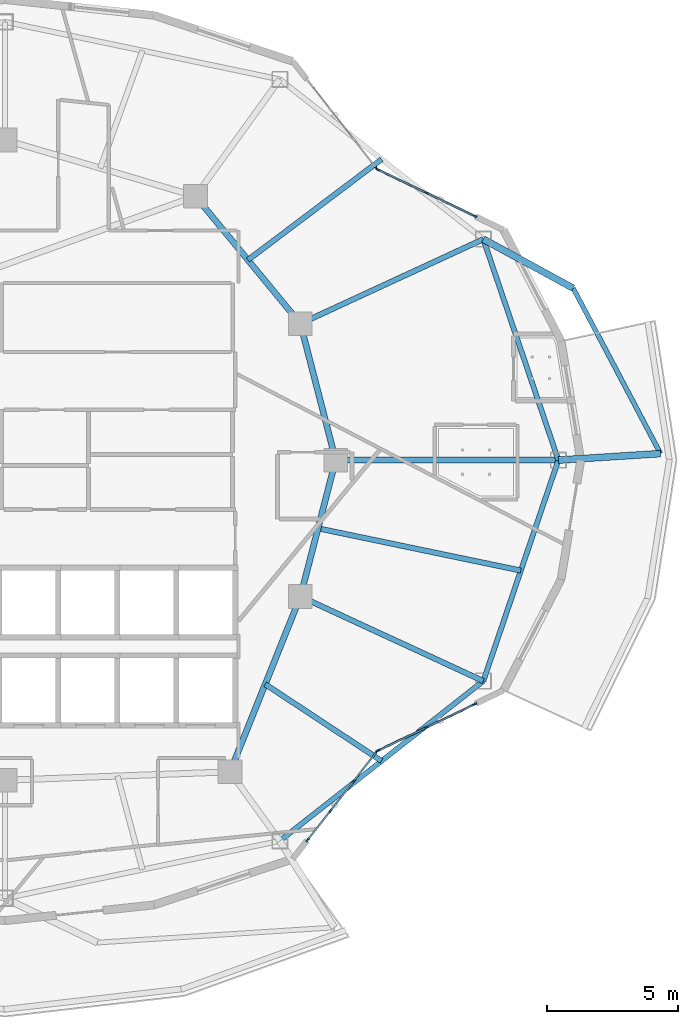
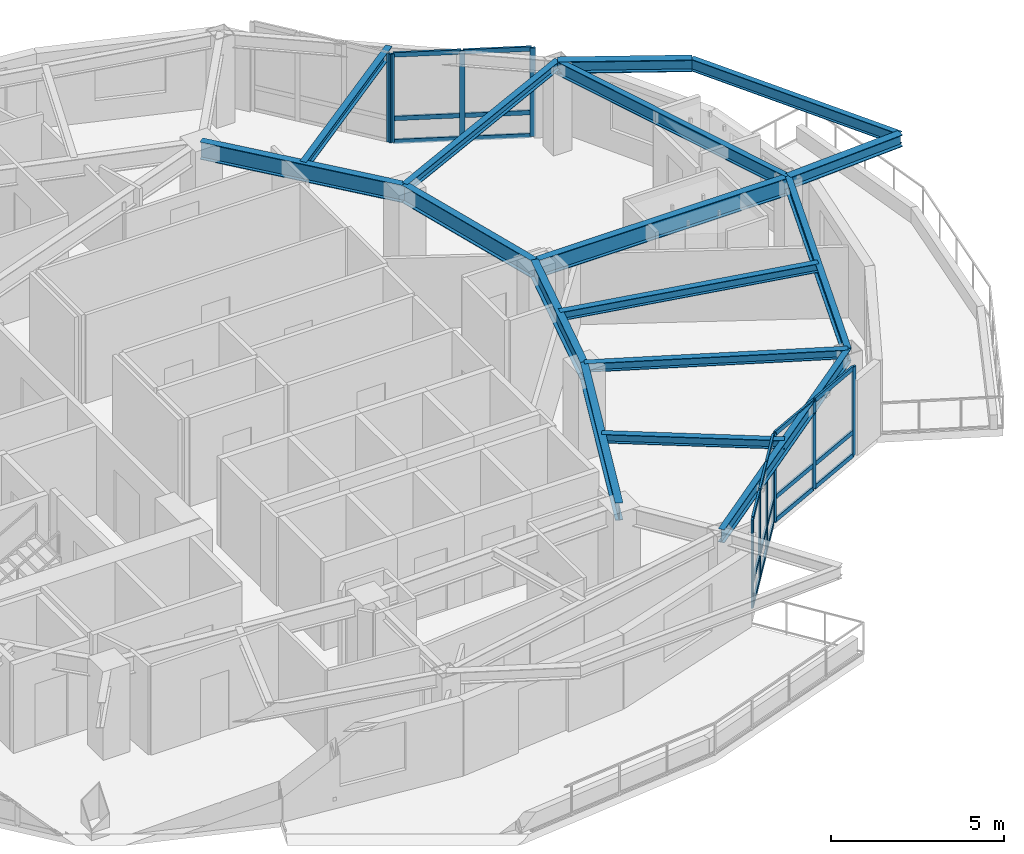
# One storey, part 4 of 18: 32 members, 16 beams, 4 elements without a shape of their own.
"""IFC4 building model written with IfcOpenShell, lengths in metres."""

from ifc_helpers import new_model, si_unit, direction, frame, origin, origin_2d, place, context, subcontext, project, spatial, rectangle, i_section, extrude, material, layer, layer_set, material_profile, profile_set, type_object, element, aggregate, save


model = new_model("IFC4")

# Units and contexts
model_context = context("Model", 3, precision=1e-05, world=origin(), true_north=direction((0.0, 1.0)))
body_context = subcontext(model_context, "Body", "Model", "MODEL_VIEW")
ifc_project = project(units=[si_unit("LENGTHUNIT", "METRE"), si_unit("AREAUNIT", "SQUARE_METRE"), si_unit("VOLUMEUNIT", "CUBIC_METRE"), si_unit("PLANEANGLEUNIT", "RADIAN"), si_unit("MASSUNIT", "GRAM", prefix="KILO")], contexts=[model_context])

# Site, building, storey
site_placement = place(None, origin())
site = spatial("IfcSite", under=ifc_project, at=site_placement, CompositionType="ELEMENT")
building_placement = place(site_placement, origin())
building = spatial("IfcBuilding", under=site, at=building_placement, Name="Kolvaren Gate Tower and Convention Centre", CompositionType="ELEMENT")
storey_placement = place(building_placement, frame((0.0, 0.0, 176.699951171875)))
storey = spatial("IfcBuildingStorey", under=building, at=storey_placement, Name="L46", CompositionType="ELEMENT", Elevation=176.699951171875)

# Curtain wall, members
ifc_material_1 = material(Name="Anodized Architectural Aluminium Alloy 6063-T6", Category="aluminium")
ifc_layer = layer(ifc_material_1, 0.159912109375)
ifc_layer_set = layer_set([ifc_layer], Name="Anodized Architectural Aluminium Alloy 6063-T6")
curtain_wall_type = type_object("IfcCurtainWallType", Name="CW-HTL-UNIT", PredefinedType="NOTDEFINED", material=ifc_layer_set)
curtain_wall_1_placement = place(storey_placement, origin())
curtain_wall_1 = element("IfcCurtainWall", 1, at=curtain_wall_1_placement, inside=storey, type_object=curtain_wall_type, Name="Tower L46 Unitised Curtain Wall CW-HTL-UNIT Bay 02", PredefinedType="NOTDEFINED")
ifc_material_profile_1 = material_profile(ifc_material_1, rectangle(XDim=0.06494140625, YDim=0.159912109375, at=origin_2d()), Name="CW-MEM-MUL-160")
ifc_profile_set_1 = profile_set([ifc_material_profile_1], Name="Anodized Architectural Aluminium Alloy 6063-T6")
member_type_1 = type_object("IfcMemberType", Name="CW-MEM-MUL-160", PredefinedType="MULLION", material=ifc_profile_set_1)
member_1_placement = place(storey_placement, frame((44.3427734375, 38.072021484375, 0.0), z_axis=(0.0, 0.0, 1.0), x_axis=(0.433073742482, 0.901358493371, 0.0)))
member_1 = element("IfcMember", 2, at=member_1_placement, type_object=member_type_1, Name="CW-03 mullion 1", PredefinedType="MULLION", context=body_context, shape_type="SweptSolid", body=[
    extrude(rectangle(XDim=0.06494140625, YDim=0.159912109375, at=origin_2d()), origin(), (0.0, 0.0, 1.0), 3.130126953125),
])
member_2_placement = place(storey_placement, frame((46.18603515625, 37.186279296875, 0.0), z_axis=(0.0, 0.0, 1.0), x_axis=(0.433073742482, 0.901358493371, 0.0)))
member_2 = element("IfcMember", 3, at=member_2_placement, type_object=member_type_1, Name="CW-03 mullion 2", PredefinedType="MULLION", context=body_context, shape_type="SweptSolid", body=[
    extrude(rectangle(XDim=0.06494140625, YDim=0.159912109375, at=origin_2d()), origin(), (0.0, 0.0, 1.0), 3.130126953125),
])
member_3_placement = place(storey_placement, frame((48.029296875, 36.30078125, 0.0), z_axis=(0.0, 0.0, 1.0), x_axis=(0.433073742482, 0.901358493371, 0.0)))
member_3 = element("IfcMember", 4, at=member_3_placement, type_object=member_type_1, Name="CW-03 mullion 3", PredefinedType="MULLION", context=body_context, shape_type="SweptSolid", body=[
    extrude(rectangle(XDim=0.06494140625, YDim=0.159912109375, at=origin_2d()), origin(), (0.0, 0.0, 1.0), 3.130126953125),
])

# Curtain wall, member
curtain_wall_2_placement = place(storey_placement, origin())
curtain_wall_2 = element("IfcCurtainWall", 5, at=curtain_wall_2_placement, inside=storey, type_object=curtain_wall_type, Name="Tower L46 Unitised Curtain Wall CW-HTL-UNIT Bay 03", PredefinedType="NOTDEFINED")
member_4_placement = place(storey_placement, frame((44.29345703125, 38.111572265625, 0.0), z_axis=(0.0, 0.0, 1.0), x_axis=(0.787403535469, 0.616437890084, 0.0)))
member_4 = element("IfcMember", 6, at=member_4_placement, type_object=member_type_1, Name="CW-03 mullion 4", PredefinedType="MULLION", context=body_context, shape_type="SweptSolid", body=[
    extrude(rectangle(XDim=0.06494140625, YDim=0.159912109375, at=origin_2d()), origin(), (0.0, 0.0, 1.0), 3.130126953125),
])
aggregate(curtain_wall_2, [member_4])

# Curtain wall, members
curtain_wall_3_placement = place(storey_placement, origin())
curtain_wall_3 = element("IfcCurtainWall", 7, at=curtain_wall_3_placement, inside=storey, type_object=curtain_wall_type, Name="Tower L46 Unitised Curtain Wall CW-HTL-UNIT Bay 20", PredefinedType="NOTDEFINED")
member_5_placement = place(storey_placement, frame((41.65380859375, 12.5166015625, 0.0), z_axis=(0.0, 0.0, 1.0), x_axis=(-0.787403535469, 0.616437890084, 0.0)))
member_5 = element("IfcMember", 8, at=member_5_placement, type_object=member_type_1, Name="CW-03 mullion 1", PredefinedType="MULLION", context=body_context, shape_type="SweptSolid", body=[
    extrude(rectangle(XDim=0.06494140625, YDim=0.159912109375, at=origin_2d()), origin(), (0.0, 0.0, 1.0), 3.130126953125),
])
member_6_placement = place(storey_placement, frame((42.527099609375, 13.632080078125, 0.0), z_axis=(0.0, 0.0, 1.0), x_axis=(-0.787403535469, 0.616437890084, 0.0)))
member_6 = element("IfcMember", 9, at=member_6_placement, type_object=member_type_1, Name="CW-03 mullion 2", PredefinedType="MULLION", context=body_context, shape_type="SweptSolid", body=[
    extrude(rectangle(XDim=0.06494140625, YDim=0.159912109375, at=origin_2d()), origin(), (0.0, 0.0, 1.0), 3.130126953125),
])
member_7_placement = place(storey_placement, frame((43.420166015625, 14.77294921875, 0.0), z_axis=(0.0, 0.0, 1.0), x_axis=(-0.787403535469, 0.616437890084, 0.0)))
member_7 = element("IfcMember", 10, at=member_7_placement, type_object=member_type_1, Name="CW-03 mullion 3", PredefinedType="MULLION", context=body_context, shape_type="SweptSolid", body=[
    extrude(rectangle(XDim=0.06494140625, YDim=0.159912109375, at=origin_2d()), origin(), (0.0, 0.0, 1.0), 3.130126953125),
])
member_8_placement = place(storey_placement, frame((44.29345703125, 15.888427734375, 0.0), z_axis=(0.0, 0.0, 1.0), x_axis=(-0.787403535469, 0.616437890084, 0.0)))
member_8 = element("IfcMember", 11, at=member_8_placement, type_object=member_type_1, Name="CW-03 mullion 4", PredefinedType="MULLION", context=body_context, shape_type="SweptSolid", body=[
    extrude(rectangle(XDim=0.06494140625, YDim=0.159912109375, at=origin_2d()), origin(), (0.0, 0.0, 1.0), 3.130126953125),
])

curtain_wall_4_placement = place(storey_placement, origin())
curtain_wall_4 = element("IfcCurtainWall", 12, at=curtain_wall_4_placement, inside=storey, type_object=curtain_wall_type, Name="Tower L46 Unitised Curtain Wall CW-HTL-UNIT Bay 21", PredefinedType="NOTDEFINED")
member_9_placement = place(storey_placement, frame((44.3427734375, 15.927978515625, 0.0), z_axis=(0.0, 0.0, 1.0), x_axis=(-0.433073742482, 0.901358493371, 0.0)))
member_9 = element("IfcMember", 13, at=member_9_placement, type_object=member_type_1, Name="CW-03 mullion 1", PredefinedType="MULLION", context=body_context, shape_type="SweptSolid", body=[
    extrude(rectangle(XDim=0.06494140625, YDim=0.159912109375, at=origin_2d()), origin(), (0.0, 0.0, 1.0), 3.130126953125),
])
member_10_placement = place(storey_placement, frame((46.18603515625, 16.813720703125, 0.0), z_axis=(0.0, 0.0, 1.0), x_axis=(-0.433073742482, 0.901358493371, 0.0)))
member_10 = element("IfcMember", 14, at=member_10_placement, type_object=member_type_1, Name="CW-03 mullion 2", PredefinedType="MULLION", context=body_context, shape_type="SweptSolid", body=[
    extrude(rectangle(XDim=0.06494140625, YDim=0.159912109375, at=origin_2d()), origin(), (0.0, 0.0, 1.0), 3.130126953125),
])
member_11_placement = place(storey_placement, frame((48.029296875, 17.69921875, 0.0), z_axis=(0.0, 0.0, 1.0), x_axis=(-0.433073742482, 0.901358493371, 0.0)))
member_11 = element("IfcMember", 15, at=member_11_placement, type_object=member_type_1, Name="CW-03 mullion 3", PredefinedType="MULLION", context=body_context, shape_type="SweptSolid", body=[
    extrude(rectangle(XDim=0.06494140625, YDim=0.159912109375, at=origin_2d()), origin(), (0.0, 0.0, 1.0), 3.130126953125),
])

# Member
ifc_material_profile_2 = material_profile(ifc_material_1, rectangle(XDim=0.06494140625, YDim=0.159912109375, at=origin_2d()), Name="CW-MEM-TRN-160")
ifc_profile_set_2 = profile_set([ifc_material_profile_2], Name="Anodized Architectural Aluminium Alloy 6063-T6")
member_type_2 = type_object("IfcMemberType", Name="CW-MEM-TRN-160", PredefinedType="USERDEFINED", material=ifc_profile_set_2)
member_12_placement = place(storey_placement, frame((44.3720703125, 38.057861328125, 0.032470703125), z_axis=(0.901369067985, -0.433051732799, 0.0), x_axis=(0.433051732799, 0.901369067985, 0.0)))
member_12 = element("IfcMember", 16, at=member_12_placement, type_object=member_type_2, Name="CW-03 transom 1.1", ObjectType="TRANSOM", PredefinedType="USERDEFINED", context=body_context, shape_type="SweptSolid", body=[
    extrude(rectangle(XDim=0.06494140625, YDim=0.159912109375, at=origin_2d()), origin(), (0.0, 0.0, 1.0), 1.97998046875),
])

member_13_placement = place(storey_placement, frame((44.3720703125, 38.057861328125, 0.85009765625), z_axis=(0.901369067985, -0.433051732799, 0.0), x_axis=(0.433051732799, 0.901369067985, 0.0)))
member_13 = element("IfcMember", 17, at=member_13_placement, type_object=member_type_2, Name="CW-03 transom 1.2", ObjectType="TRANSOM", PredefinedType="USERDEFINED", context=body_context, shape_type="SweptSolid", body=[
    extrude(rectangle(XDim=0.06494140625, YDim=0.159912109375, at=origin_2d()), origin(), (0.0, 0.0, 1.0), 1.97998046875),
])

member_14_placement = place(storey_placement, frame((44.3720703125, 38.057861328125, 3.09765625), z_axis=(0.901369067985, -0.433051732799, 0.0), x_axis=(0.433051732799, 0.901369067985, 0.0)))
member_14 = element("IfcMember", 18, at=member_14_placement, type_object=member_type_2, Name="CW-03 transom 1.3", ObjectType="TRANSOM", PredefinedType="USERDEFINED", context=body_context, shape_type="SweptSolid", body=[
    extrude(rectangle(XDim=0.06494140625, YDim=0.159912109375, at=origin_2d()), origin(), (0.0, 0.0, 1.0), 1.97998046875),
])

member_15_placement = place(storey_placement, frame((46.21533203125, 37.172119140625, 0.032470703125), z_axis=(0.901369067985, -0.433051732799, 0.0), x_axis=(0.433051732799, 0.901369067985, 0.0)))
member_15 = element("IfcMember", 19, at=member_15_placement, type_object=member_type_2, Name="CW-03 transom 2.1", ObjectType="TRANSOM", PredefinedType="USERDEFINED", context=body_context, shape_type="SweptSolid", body=[
    extrude(rectangle(XDim=0.06494140625, YDim=0.159912109375, at=origin_2d()), origin(), (0.0, 0.0, 1.0), 1.97998046875),
])

member_16_placement = place(storey_placement, frame((46.21533203125, 37.172119140625, 0.85009765625), z_axis=(0.901369067985, -0.433051732799, 0.0), x_axis=(0.433051732799, 0.901369067985, 0.0)))
member_16 = element("IfcMember", 20, at=member_16_placement, type_object=member_type_2, Name="CW-03 transom 2.2", ObjectType="TRANSOM", PredefinedType="USERDEFINED", context=body_context, shape_type="SweptSolid", body=[
    extrude(rectangle(XDim=0.06494140625, YDim=0.159912109375, at=origin_2d()), origin(), (0.0, 0.0, 1.0), 1.97998046875),
])

member_17_placement = place(storey_placement, frame((46.21533203125, 37.172119140625, 3.09765625), z_axis=(0.901369067985, -0.433051732799, 0.0), x_axis=(0.433051732799, 0.901369067985, 0.0)))
member_17 = element("IfcMember", 21, at=member_17_placement, type_object=member_type_2, Name="CW-03 transom 2.3", ObjectType="TRANSOM", PredefinedType="USERDEFINED", context=body_context, shape_type="SweptSolid", body=[
    extrude(rectangle(XDim=0.06494140625, YDim=0.159912109375, at=origin_2d()), origin(), (0.0, 0.0, 1.0), 1.97998046875),
])

aggregate(curtain_wall_1, [member_1, member_2, member_3, member_12, member_13, member_14, member_15, member_16, member_17])

member_18_placement = place(storey_placement, frame((41.673828125, 12.542236328125, 0.032470703125), z_axis=(0.616488451497, 0.787363949626, 0.0), x_axis=(-0.787363949626, 0.616488451497, 0.0)))
member_18 = element("IfcMember", 22, at=member_18_placement, type_object=member_type_2, Name="CW-03 transom 1.1", ObjectType="TRANSOM", PredefinedType="USERDEFINED", context=body_context, shape_type="SweptSolid", body=[
    extrude(rectangle(XDim=0.06494140625, YDim=0.159912109375, at=origin_2d()), origin(), (0.0, 0.0, 1.0), 1.3515625),
])

member_19_placement = place(storey_placement, frame((41.673828125, 12.542236328125, 0.85009765625), z_axis=(0.616488451497, 0.787363949626, 0.0), x_axis=(-0.787363949626, 0.616488451497, 0.0)))
member_19 = element("IfcMember", 23, at=member_19_placement, type_object=member_type_2, Name="CW-03 transom 1.2", ObjectType="TRANSOM", PredefinedType="USERDEFINED", context=body_context, shape_type="SweptSolid", body=[
    extrude(rectangle(XDim=0.06494140625, YDim=0.159912109375, at=origin_2d()), origin(), (0.0, 0.0, 1.0), 1.3515625),
])

member_20_placement = place(storey_placement, frame((41.673828125, 12.542236328125, 3.09765625), z_axis=(0.616488451497, 0.787363949626, 0.0), x_axis=(-0.787363949626, 0.616488451497, 0.0)))
member_20 = element("IfcMember", 24, at=member_20_placement, type_object=member_type_2, Name="CW-03 transom 1.3", ObjectType="TRANSOM", PredefinedType="USERDEFINED", context=body_context, shape_type="SweptSolid", body=[
    extrude(rectangle(XDim=0.06494140625, YDim=0.159912109375, at=origin_2d()), origin(), (0.0, 0.0, 1.0), 1.3515625),
])

member_21_placement = place(storey_placement, frame((42.547119140625, 13.65771484375, 0.032470703125), z_axis=(0.616355825524, 0.787467774796, 0.0), x_axis=(-0.787467774796, 0.616355825524, 0.0)))
member_21 = element("IfcMember", 25, at=member_21_placement, type_object=member_type_2, Name="CW-03 transom 2.1", ObjectType="TRANSOM", PredefinedType="USERDEFINED", context=body_context, shape_type="SweptSolid", body=[
    extrude(rectangle(XDim=0.06494140625, YDim=0.159912109375, at=origin_2d()), origin(), (0.0, 0.0, 1.0), 1.384033203125),
])

member_22_placement = place(storey_placement, frame((42.547119140625, 13.65771484375, 0.85009765625), z_axis=(0.616355825524, 0.787467774796, 0.0), x_axis=(-0.787467774796, 0.616355825524, 0.0)))
member_22 = element("IfcMember", 26, at=member_22_placement, type_object=member_type_2, Name="CW-03 transom 2.2", ObjectType="TRANSOM", PredefinedType="USERDEFINED", context=body_context, shape_type="SweptSolid", body=[
    extrude(rectangle(XDim=0.06494140625, YDim=0.159912109375, at=origin_2d()), origin(), (0.0, 0.0, 1.0), 1.384033203125),
])

member_23_placement = place(storey_placement, frame((42.547119140625, 13.65771484375, 3.09765625), z_axis=(0.616355825524, 0.787467774796, 0.0), x_axis=(-0.787467774796, 0.616355825524, 0.0)))
member_23 = element("IfcMember", 27, at=member_23_placement, type_object=member_type_2, Name="CW-03 transom 2.3", ObjectType="TRANSOM", PredefinedType="USERDEFINED", context=body_context, shape_type="SweptSolid", body=[
    extrude(rectangle(XDim=0.06494140625, YDim=0.159912109375, at=origin_2d()), origin(), (0.0, 0.0, 1.0), 1.384033203125),
])

member_24_placement = place(storey_placement, frame((43.440185546875, 14.798583984375, 0.032470703125), z_axis=(0.616488451497, 0.787363949626, 0.0), x_axis=(-0.787363949626, 0.616488451497, 0.0)))
member_24 = element("IfcMember", 28, at=member_24_placement, type_object=member_type_2, Name="CW-03 transom 3.1", ObjectType="TRANSOM", PredefinedType="USERDEFINED", context=body_context, shape_type="SweptSolid", body=[
    extrude(rectangle(XDim=0.06494140625, YDim=0.159912109375, at=origin_2d()), origin(), (0.0, 0.0, 1.0), 1.3515625),
])

member_25_placement = place(storey_placement, frame((43.440185546875, 14.798583984375, 0.85009765625), z_axis=(0.616488451497, 0.787363949626, 0.0), x_axis=(-0.787363949626, 0.616488451497, 0.0)))
member_25 = element("IfcMember", 29, at=member_25_placement, type_object=member_type_2, Name="CW-03 transom 3.2", ObjectType="TRANSOM", PredefinedType="USERDEFINED", context=body_context, shape_type="SweptSolid", body=[
    extrude(rectangle(XDim=0.06494140625, YDim=0.159912109375, at=origin_2d()), origin(), (0.0, 0.0, 1.0), 1.3515625),
])

member_26_placement = place(storey_placement, frame((43.440185546875, 14.798583984375, 3.09765625), z_axis=(0.616488451497, 0.787363949626, 0.0), x_axis=(-0.787363949626, 0.616488451497, 0.0)))
member_26 = element("IfcMember", 30, at=member_26_placement, type_object=member_type_2, Name="CW-03 transom 3.3", ObjectType="TRANSOM", PredefinedType="USERDEFINED", context=body_context, shape_type="SweptSolid", body=[
    extrude(rectangle(XDim=0.06494140625, YDim=0.159912109375, at=origin_2d()), origin(), (0.0, 0.0, 1.0), 1.3515625),
])

aggregate(curtain_wall_3, [member_5, member_6, member_7, member_8, member_18, member_19, member_20, member_21, member_22, member_23, member_24, member_25, member_26])

member_27_placement = place(storey_placement, frame((44.3720703125, 15.942138671875, 0.032470703125), z_axis=(0.901369067985, 0.433051732799, 0.0), x_axis=(-0.433051732799, 0.901369067985, 0.0)))
member_27 = element("IfcMember", 31, at=member_27_placement, type_object=member_type_2, Name="CW-03 transom 1.1", ObjectType="TRANSOM", PredefinedType="USERDEFINED", context=body_context, shape_type="SweptSolid", body=[
    extrude(rectangle(XDim=0.06494140625, YDim=0.159912109375, at=origin_2d()), origin(), (0.0, 0.0, 1.0), 1.97998046875),
])

member_28_placement = place(storey_placement, frame((44.3720703125, 15.942138671875, 0.85009765625), z_axis=(0.901369067985, 0.433051732799, 0.0), x_axis=(-0.433051732799, 0.901369067985, 0.0)))
member_28 = element("IfcMember", 32, at=member_28_placement, type_object=member_type_2, Name="CW-03 transom 1.2", ObjectType="TRANSOM", PredefinedType="USERDEFINED", context=body_context, shape_type="SweptSolid", body=[
    extrude(rectangle(XDim=0.06494140625, YDim=0.159912109375, at=origin_2d()), origin(), (0.0, 0.0, 1.0), 1.97998046875),
])

member_29_placement = place(storey_placement, frame((44.3720703125, 15.942138671875, 3.09765625), z_axis=(0.901369067985, 0.433051732799, 0.0), x_axis=(-0.433051732799, 0.901369067985, 0.0)))
member_29 = element("IfcMember", 33, at=member_29_placement, type_object=member_type_2, Name="CW-03 transom 1.3", ObjectType="TRANSOM", PredefinedType="USERDEFINED", context=body_context, shape_type="SweptSolid", body=[
    extrude(rectangle(XDim=0.06494140625, YDim=0.159912109375, at=origin_2d()), origin(), (0.0, 0.0, 1.0), 1.97998046875),
])

member_30_placement = place(storey_placement, frame((46.21533203125, 16.827880859375, 0.032470703125), z_axis=(0.901369067985, 0.433051732799, 0.0), x_axis=(-0.433051732799, 0.901369067985, 0.0)))
member_30 = element("IfcMember", 34, at=member_30_placement, type_object=member_type_2, Name="CW-03 transom 2.1", ObjectType="TRANSOM", PredefinedType="USERDEFINED", context=body_context, shape_type="SweptSolid", body=[
    extrude(rectangle(XDim=0.06494140625, YDim=0.159912109375, at=origin_2d()), origin(), (0.0, 0.0, 1.0), 1.97998046875),
])

member_31_placement = place(storey_placement, frame((46.21533203125, 16.827880859375, 0.85009765625), z_axis=(0.901369067985, 0.433051732799, 0.0), x_axis=(-0.433051732799, 0.901369067985, 0.0)))
member_31 = element("IfcMember", 35, at=member_31_placement, type_object=member_type_2, Name="CW-03 transom 2.2", ObjectType="TRANSOM", PredefinedType="USERDEFINED", context=body_context, shape_type="SweptSolid", body=[
    extrude(rectangle(XDim=0.06494140625, YDim=0.159912109375, at=origin_2d()), origin(), (0.0, 0.0, 1.0), 1.97998046875),
])

member_32_placement = place(storey_placement, frame((46.21533203125, 16.827880859375, 3.09765625), z_axis=(0.901369067985, 0.433051732799, 0.0), x_axis=(-0.433051732799, 0.901369067985, 0.0)))
member_32 = element("IfcMember", 36, at=member_32_placement, type_object=member_type_2, Name="CW-03 transom 2.3", ObjectType="TRANSOM", PredefinedType="USERDEFINED", context=body_context, shape_type="SweptSolid", body=[
    extrude(rectangle(XDim=0.06494140625, YDim=0.159912109375, at=origin_2d()), origin(), (0.0, 0.0, 1.0), 1.97998046875),
])

aggregate(curtain_wall_4, [member_9, member_10, member_11, member_27, member_28, member_29, member_30, member_31, member_32])

# Beams
ifc_material_2 = material(Name="Structural steel ASTM A992 Grade 345 MPa", Category="steel")
ifc_material_profile_3 = material_profile(ifc_material_2, i_section(OverallWidth=0.260009765625, OverallDepth=0.419921875, WebThickness=0.013427734375, FlangeThickness=0.0224609375, at=origin_2d()), Name="W410X132")
ifc_profile_set_3 = profile_set([ifc_material_profile_3], Name="Structural steel ASTM A992 Grade 345 MPa")
beam_type_1 = type_object("IfcBeamType", Name="STR-BM-W410X132", PredefinedType="BEAM", material=ifc_profile_set_3)
for number, where, z_axis, x_axis, name in (
    (37, (51.21240234375, 27.0, 2.920654296875), (0.997967389097, 0.063726684362, 0.0), (-0.063726684362, 0.997967389097, 0.0), "Tower L47 Planted Balcony Outrigger Cantilever BC-4A"),
    (38, (48.351806640625, 35.418701171875, 2.920654296875), (0.878175335842, -0.47833887519, 0.0), (0.47833887519, 0.878175335842, 0.0), "Tower L47 Planted Balcony Outrigger Cantilever BC-4B"),
):
    element("IfcBeam", number, at=place(storey_placement, frame(where, z_axis=z_axis, x_axis=x_axis)), inside=storey, type_object=beam_type_1, Name=name, PredefinedType="BEAM", context=body_context, shape_type="SweptSolid", body=[
        extrude(i_section(OverallWidth=0.260009765625, OverallDepth=0.419921875, WebThickness=0.013427734375, FlangeThickness=0.0224609375, at=origin_2d()), origin(), (0.0, 0.0, 1.0), 3.89990234375),
    ])
ifc_material_profile_4 = material_profile(ifc_material_2, i_section(OverallWidth=0.22998046875, OverallDepth=0.616943359375, WebThickness=0.01318359375, FlangeThickness=0.022216796875, at=origin_2d()), Name="W610X140")
ifc_profile_set_4 = profile_set([ifc_material_profile_4], Name="Structural steel ASTM A992 Grade 345 MPa")
beam_type_2 = type_object("IfcBeamType", Name="STR-BM-W610X140", PredefinedType="BEAM", material=ifc_profile_set_4)
beam_1_placement = place(storey_placement, frame((42.72509765625, 27.0, 2.821533203125), z_axis=(-0.250091133936, -0.968222301296, 0.0), x_axis=(0.968222301296, -0.250091133936, 0.0)))
element("IfcBeam", 39, at=beam_1_placement, inside=storey, type_object=beam_type_2, Name="Tower L46 Primary Ring Girder G-01", PredefinedType="BEAM", context=body_context, shape_type="SweptSolid", body=[
    extrude(i_section(OverallWidth=0.22998046875, OverallDepth=0.616943359375, WebThickness=0.01318359375, FlangeThickness=0.022216796875, at=origin_2d()), origin(), (0.0, 0.0, 1.0), 5.3701171875),
])
beam_2_placement = place(storey_placement, frame((41.382080078125, 32.199462890625, 2.821533203125), z_axis=(-0.635884066011, 0.771784590798, 0.0), x_axis=(-0.771784590798, -0.635884066011, 0.0)))
element("IfcBeam", 40, at=beam_2_placement, inside=storey, type_object=beam_type_2, Name="Tower L46 Primary Ring Girder G-02", PredefinedType="BEAM", context=body_context, shape_type="SweptSolid", body=[
    extrude(i_section(OverallWidth=0.22998046875, OverallDepth=0.616943359375, WebThickness=0.01318359375, FlangeThickness=0.022216796875, at=origin_2d()), origin(), (0.0, 0.0, 1.0), 6.291259765625),
])
beam_3_placement = place(storey_placement, frame((38.6982421875, 15.12060546875, 2.821533203125), z_axis=(0.372811100169, 0.927907260232, 0.0), x_axis=(-0.927907260232, 0.372811100169, 0.0)))
element("IfcBeam", 41, at=beam_3_placement, inside=storey, type_object=beam_type_2, Name="Tower L46 Primary Ring Girder G-09", PredefinedType="BEAM", context=body_context, shape_type="SweptSolid", body=[
    extrude(i_section(OverallWidth=0.22998046875, OverallDepth=0.616943359375, WebThickness=0.01318359375, FlangeThickness=0.022216796875, at=origin_2d()), origin(), (0.0, 0.0, 1.0), 7.198974609375),
])
beam_4_placement = place(storey_placement, frame((42.72509765625, 27.0, 2.821533203125), z_axis=(-0.250091133936, 0.968222301296, 0.0), x_axis=(-0.968222301296, -0.250091133936, 0.0)))
element("IfcBeam", 42, at=beam_4_placement, inside=storey, type_object=beam_type_2, Name="Tower L46 Primary Ring Girder G-12", PredefinedType="BEAM", context=body_context, shape_type="SweptSolid", body=[
    extrude(i_section(OverallWidth=0.22998046875, OverallDepth=0.616943359375, WebThickness=0.01318359375, FlangeThickness=0.022216796875, at=origin_2d()), origin(), (0.0, 0.0, 1.0), 5.3701171875),
])
beam_5_placement = place(storey_placement, frame((42.72509765625, 27.0, 2.821533203125), z_axis=(1.0, 0.0, 0.0), x_axis=(0.0, 1.0, 0.0)))
element("IfcBeam", 43, at=beam_5_placement, inside=storey, type_object=beam_type_2, Name="Tower L46 Radial Floor Girder RB-01", PredefinedType="BEAM", context=body_context, shape_type="SweptSolid", body=[
    extrude(i_section(OverallWidth=0.22998046875, OverallDepth=0.616943359375, WebThickness=0.01318359375, FlangeThickness=0.022216796875, at=origin_2d()), origin(), (0.0, 0.0, 1.0), 8.4873046875),
])
ifc_material_profile_5 = material_profile(ifc_material_2, i_section(OverallWidth=0.205078125, OverallDepth=0.31005859375, WebThickness=0.009521484375, FlangeThickness=0.016357421875, at=origin_2d()), Name="W310X74")
ifc_profile_set_5 = profile_set([ifc_material_profile_5], Name="Structural steel ASTM A992 Grade 345 MPa")
beam_type_3 = type_object("IfcBeamType", Name="STR-JS-W310X74", PredefinedType="JOIST", material=ifc_profile_set_5)
for number, where, z_axis, x_axis, name in (
    (44, (41.382080078125, 32.199462890625, 2.97509765625), (0.907838349939, 0.419320319542, 0.0), (-0.419320319542, 0.907838349939, 0.0), "Tower L46 Radial Floor Girder RB-02"),
    (45, (41.382080078125, 21.800537109375, 2.97509765625), (0.907838349939, -0.419320319542, 0.0), (0.419320319542, 0.907838349939, 0.0), "Tower L46 Radial Floor Girder RB-12"),
):
    element("IfcBeam", number, at=place(storey_placement, frame(where, z_axis=z_axis, x_axis=x_axis)), inside=storey, type_object=beam_type_3, Name=name, PredefinedType="JOIST", context=body_context, shape_type="SweptSolid", body=[
        extrude(i_section(OverallWidth=0.205078125, OverallDepth=0.31005859375, WebThickness=0.009521484375, FlangeThickness=0.016357421875, at=origin_2d()), origin(), (0.0, 0.0, 1.0), 7.67724609375),
    ])
beam_6_placement = place(storey_placement, frame((39.3818359375, 34.627197265625, 2.97509765625), z_axis=(0.798665513939, 0.601775204577, 0.0), x_axis=(-0.601775204577, 0.798665513939, 0.0)))
element("IfcBeam", 46, at=beam_6_placement, inside=storey, type_object=beam_type_3, Name="Tower L46 Secondary Composite Floor Joist J-02.1", PredefinedType="JOIST", context=body_context, shape_type="SweptSolid", body=[
    extrude(i_section(OverallWidth=0.205078125, OverallDepth=0.31005859375, WebThickness=0.009521484375, FlangeThickness=0.016357421875, at=origin_2d()), origin(), (0.0, 0.0, 1.0), 6.3759765625),
])
beam_7_placement = place(storey_placement, frame((40.040283203125, 18.46044921875, 2.97509765625), z_axis=(0.834762790112, -0.550609738602, 0.0), x_axis=(0.550609738602, 0.834762790112, 0.0)))
element("IfcBeam", 47, at=beam_7_placement, inside=storey, type_object=beam_type_3, Name="Tower L46 Secondary Composite Floor Joist J-11.1", PredefinedType="JOIST", context=body_context, shape_type="SweptSolid", body=[
    extrude(i_section(OverallWidth=0.205078125, OverallDepth=0.31005859375, WebThickness=0.009521484375, FlangeThickness=0.016357421875, at=origin_2d()), origin(), (0.0, 0.0, 1.0), 5.3115234375),
])
beam_8_placement = place(storey_placement, frame((42.0537109375, 24.400146484375, 2.97509765625), z_axis=(0.978997655145, -0.203871506641, 0.0), x_axis=(0.203871506641, 0.978997655145, 0.0)))
element("IfcBeam", 48, at=beam_8_placement, inside=storey, type_object=beam_type_3, Name="Tower L46 Secondary Composite Floor Joist J-12.1", PredefinedType="JOIST", context=body_context, shape_type="SweptSolid", body=[
    extrude(i_section(OverallWidth=0.205078125, OverallDepth=0.31005859375, WebThickness=0.009521484375, FlangeThickness=0.016357421875, at=origin_2d()), origin(), (0.0, 0.0, 1.0), 7.89404296875),
])
ifc_material_profile_6 = material_profile(ifc_material_2, i_section(OverallWidth=0.180908203125, OverallDepth=0.4169921875, WebThickness=0.010986328125, FlangeThickness=0.018310546875, at=origin_2d()), Name="W410X85")
ifc_profile_set_6 = profile_set([ifc_material_profile_6], Name="Structural steel ASTM A992 Grade 345 MPa")
beam_type_4 = type_object("IfcBeamType", Name="STR-SP-W410X85", PredefinedType="SPANDREL", material=ifc_profile_set_6)
beam_9_placement = place(storey_placement, frame((55.1044921875, 27.24853515625, 2.922119140625), z_axis=(-0.466803260322, 0.884361191003, 0.0), x_axis=(-0.884361191003, -0.466803260322, 0.0)))
element("IfcBeam", 49, at=beam_9_placement, inside=storey, type_object=beam_type_4, Name="Tower L47 Planted Balcony Header Tie Beam BT-4", PredefinedType="SPANDREL", context=body_context, shape_type="SweptSolid", body=[
    extrude(i_section(OverallWidth=0.180908203125, OverallDepth=0.4169921875, WebThickness=0.010986328125, FlangeThickness=0.018310546875, at=origin_2d()), origin(), (0.0, 0.0, 1.0), 7.129150390625),
])
ifc_material_profile_7 = material_profile(ifc_material_2, i_section(OverallWidth=0.194091796875, OverallDepth=0.468994140625, WebThickness=0.0126953125, FlangeThickness=0.0205078125, at=origin_2d()), Name="W460X106")
ifc_profile_set_7 = profile_set([ifc_material_profile_7], Name="Structural steel ASTM A992 Grade 345 MPa")
beam_type_5 = type_object("IfcBeamType", Name="STR-SP-W460X106", PredefinedType="SPANDREL", material=ifc_profile_set_7)
beam_10_placement = place(storey_placement, frame((51.21240234375, 27.0, 2.8955078125), z_axis=(-0.321725023609, 0.946833147489, 0.0), x_axis=(-0.946833147489, -0.321725023609, 0.0)))
element("IfcBeam", 50, at=beam_10_placement, inside=storey, type_object=beam_type_5, Name="Tower L46 Perimeter Spandrel Beam SP-01", PredefinedType="SPANDREL", context=body_context, shape_type="SweptSolid", body=[
    extrude(i_section(OverallWidth=0.194091796875, OverallDepth=0.468994140625, WebThickness=0.0126953125, FlangeThickness=0.0205078125, at=origin_2d()), origin(), (0.0, 0.0, 1.0), 8.891357421875),
])
beam_11_placement = place(storey_placement, frame((40.596435546875, 12.490478515625, 2.8955078125), z_axis=(0.786450621777, 0.617653154697, 0.0), x_axis=(-0.617653154697, 0.786450621777, 0.0)))
element("IfcBeam", 51, at=beam_11_placement, inside=storey, type_object=beam_type_5, Name="Tower L46 Perimeter Spandrel Beam SP-11", PredefinedType="SPANDREL", context=body_context, shape_type="SweptSolid", body=[
    extrude(i_section(OverallWidth=0.194091796875, OverallDepth=0.468994140625, WebThickness=0.0126953125, FlangeThickness=0.0205078125, at=origin_2d()), origin(), (0.0, 0.0, 1.0), 9.861328125),
])
beam_12_placement = place(storey_placement, frame((48.351806640625, 18.581298828125, 2.8955078125), z_axis=(0.321725023609, 0.946833147489, 0.0), x_axis=(-0.946833147489, 0.321725023609, 0.0)))
element("IfcBeam", 52, at=beam_12_placement, inside=storey, type_object=beam_type_5, Name="Tower L46 Perimeter Spandrel Beam SP-12", PredefinedType="SPANDREL", context=body_context, shape_type="SweptSolid", body=[
    extrude(i_section(OverallWidth=0.194091796875, OverallDepth=0.468994140625, WebThickness=0.0126953125, FlangeThickness=0.0205078125, at=origin_2d()), origin(), (0.0, 0.0, 1.0), 8.891357421875),
])

save(model, "model.ifc")
